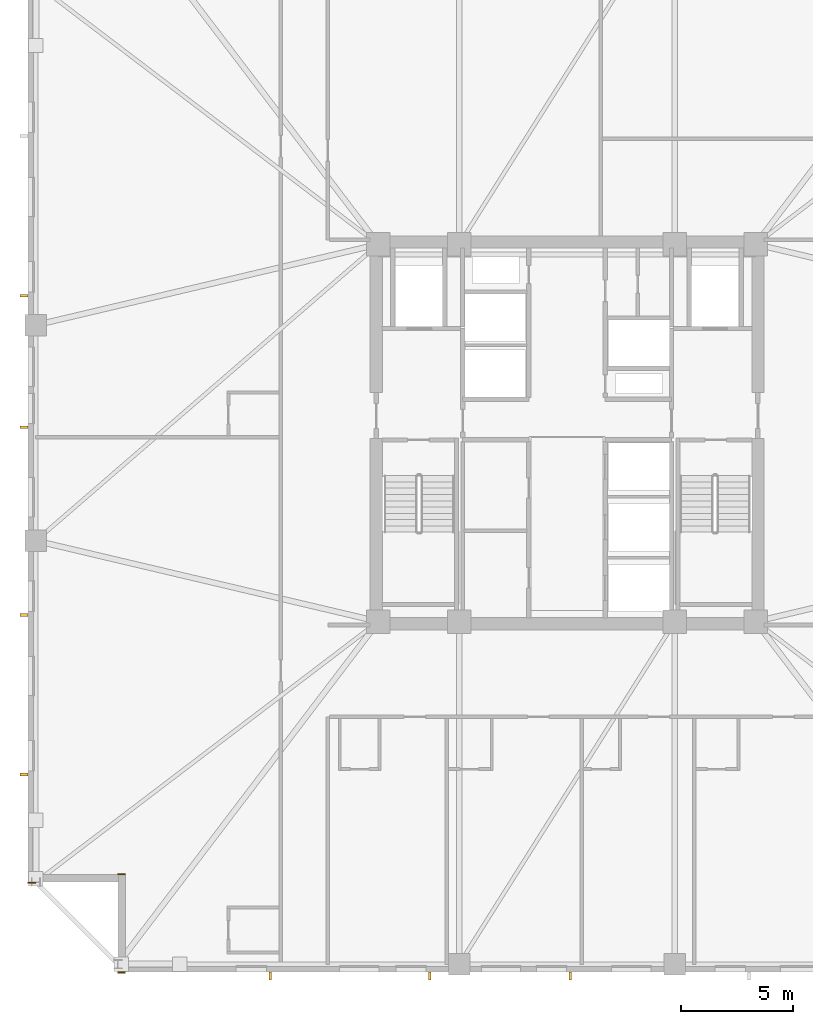
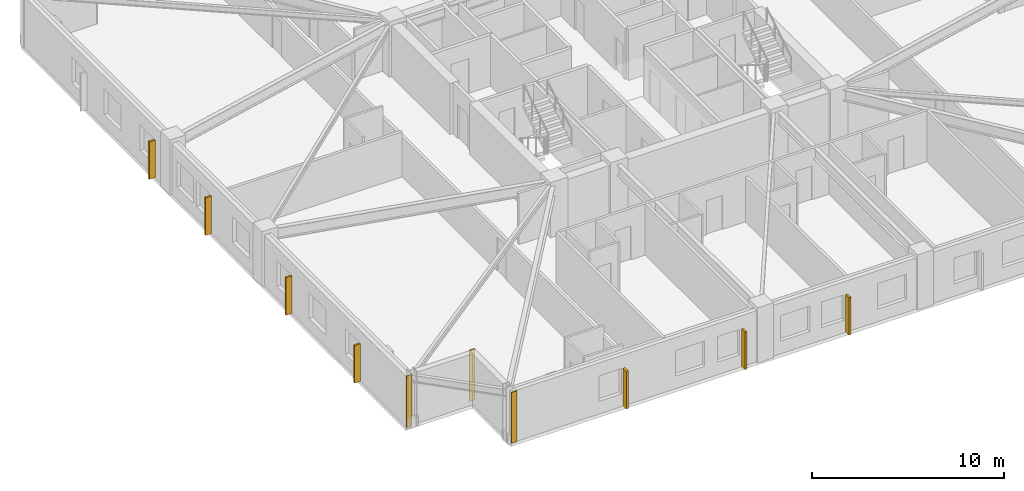
# One storey, part 7 of 11: 7 shading devices, 3 coverings.
"""IFC4 building model written with IfcOpenShell, lengths in metres."""

from ifc_helpers import new_model, si_unit, direction, frame, frame_2d, origin, origin_2d, place, context, subcontext, project, spatial, rectangle, extrude, material, layer, layer_set, type_object, element, save


model = new_model("IFC4")

# Units and contexts
model_context = context("Model", 3, precision=1e-05, world=origin(), true_north=direction((0.0, 1.0)))
body_context = subcontext(model_context, "Body", "Model", "MODEL_VIEW")
ifc_project = project(units=[si_unit("LENGTHUNIT", "METRE"), si_unit("AREAUNIT", "SQUARE_METRE"), si_unit("VOLUMEUNIT", "CUBIC_METRE"), si_unit("PLANEANGLEUNIT", "RADIAN"), si_unit("MASSUNIT", "GRAM", prefix="KILO")], contexts=[model_context])

# Site, building, storey
site_placement = place(None, origin())
site = spatial("IfcSite", under=ifc_project, at=site_placement, CompositionType="ELEMENT")
building_placement = place(site_placement, origin())
building = spatial("IfcBuilding", under=site, at=building_placement, Name="Cairnveth Concourse Tower", CompositionType="ELEMENT")
storey_placement = place(building_placement, frame((0.0, 0.0, 190.0)))
storey = spatial("IfcBuildingStorey", under=building, at=storey_placement, Name="L52", CompositionType="ELEMENT", Elevation=190.0)

# Coverings
ifc_material_1 = material(Name="Dressed Melbourne Bluestone Cladding", Category="masonry")
ifc_layer = layer(ifc_material_1, 0.050048828125)
ifc_layer_set = layer_set([ifc_layer], Name="Dressed Melbourne Bluestone Cladding")
covering_type = type_object("IfcCoveringType", Name="DRESSED BLUESTONE PLINTH CLADDING 50", PredefinedType="CLADDING", material=ifc_layer_set)
for number, where, z_axis, x_axis, name in (
    (1, (32.340087890625, 14.97998046875, 0.0), (0.0, 0.0, 1.0), (-1.0, 0.0, 0.0), "Melbourne Bluestone Corner Quoin L52-775"),
    (2, (32.340087890625, 19.360107421875, 0.0), (0.0, 0.0, 1.0), (-1.0, 0.0, 0.0), "Melbourne Bluestone Corner Quoin L52-776"),
    (3, (28.340087890625, 18.97998046875, 0.0), (0.0, 0.0, 1.0), (-1.0, 0.0, 0.0), "Melbourne Bluestone Corner Quoin L52-777"),
):
    element("IfcCovering", number, at=place(storey_placement, frame(where, z_axis=z_axis, x_axis=x_axis)), inside=storey, type_object=covering_type, Name=name, PredefinedType="CLADDING", context=body_context, shape_type="SweptSolid", body=[
        extrude(rectangle(XDim=0.340087890625, YDim=0.050048828125, at=frame_2d((0.169921875, 0.0))), origin(), (0.0, 0.0, 1.0), 3.239990234375),
    ])

# Shading devices
ifc_material_2 = material(Name="Architectural Bronze Anodised Aluminium 6063-T6", Category="aluminium")
shading_device_type = type_object("IfcShadingDeviceType", Name="GOTHIC BRONZE VERTICAL LANCET FIN", PredefinedType="USERDEFINED", material=ifc_material_2)
for number, where, z_axis, x_axis, name in (
    (4, (52.14404296875, 14.824951171875, 0.030029296875), (0.0, 0.0, 1.0), (1.0, 0.0, 0.0), "Gothic Bronze Vertical Fin L52-3-5"),
    (5, (45.886962890625, 14.824951171875, 0.030029296875), (0.0, 0.0, 1.0), (1.0, 0.0, 0.0), "Gothic Bronze Vertical Fin L52-3-7"),
    (6, (38.77978515625, 14.824951171875, 0.030029296875), (0.0, 0.0, 1.0), (1.0, 0.0, 0.0), "Gothic Bronze Vertical Fin L52-3-9"),
    (7, (27.824951171875, 23.791748046875, 0.030029296875), (0.0, 0.0, 1.0), (0.0, 1.0, 0.0), "Gothic Bronze Vertical Fin L52-6-1"),
    (8, (27.824951171875, 30.89892578125, 0.030029296875), (0.0, 0.0, 1.0), (0.0, 1.0, 0.0), "Gothic Bronze Vertical Fin L52-6-3"),
    (9, (27.824951171875, 39.256103515625, 0.030029296875), (0.0, 0.0, 1.0), (0.0, 1.0, 0.0), "Gothic Bronze Vertical Fin L52-6-5"),
    (10, (27.824951171875, 45.113037109375, 0.030029296875), (0.0, 0.0, 1.0), (0.0, 1.0, 0.0), "Gothic Bronze Vertical Fin L52-6-7"),
):
    element("IfcShadingDevice", number, at=place(storey_placement, frame(where, z_axis=z_axis, x_axis=x_axis)), inside=storey, type_object=shading_device_type, Name=name, ObjectType="VERTICAL FIN", PredefinedType="USERDEFINED", context=body_context, shape_type="SweptSolid", body=[
        extrude(rectangle(XDim=0.1201171875, YDim=0.360107421875, at=origin_2d()), origin(), (0.0, 0.0, 1.0), 2.3798828125),
    ])

save(model, "model.ifc")
